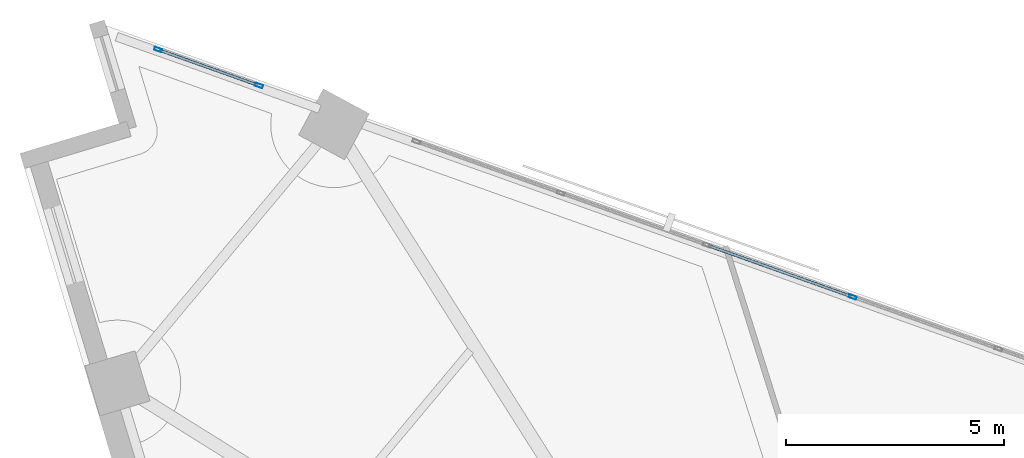
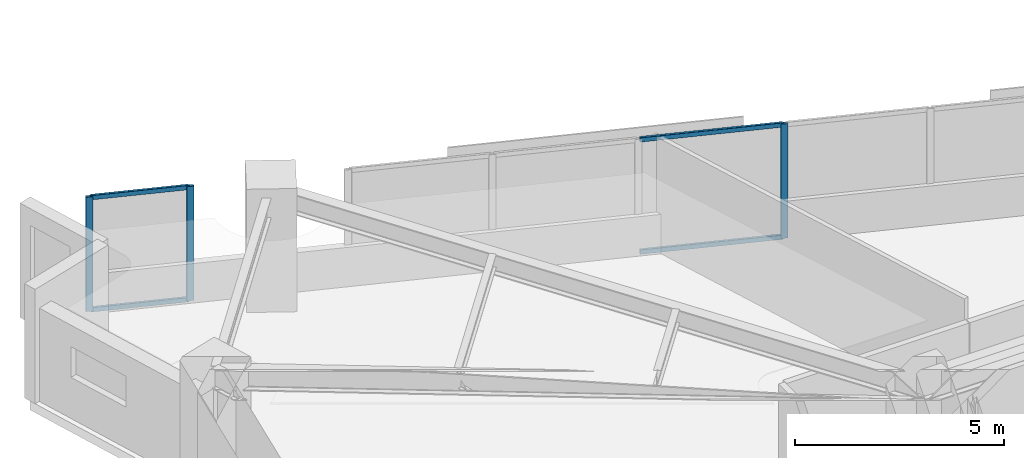
# One storey, part 7 of 16: 7 members, 2 elements without a shape of their own.
"""IFC4 building model written with IfcOpenShell, lengths in metres."""

from ifc_helpers import new_model, si_unit, direction, frame, origin, origin_2d, place, context, subcontext, project, spatial, hollow_rectangle, extrude, material, material_profile, profile_set, type_object, element, aggregate, save


model = new_model("IFC4")

# Units and contexts
model_context = context("Model", 3, precision=1e-05, world=origin(), true_north=direction((0.0, 1.0)))
body_context = subcontext(model_context, "Body", "Model", "MODEL_VIEW")
ifc_project = project(units=[si_unit("LENGTHUNIT", "METRE"), si_unit("AREAUNIT", "SQUARE_METRE"), si_unit("VOLUMEUNIT", "CUBIC_METRE"), si_unit("PLANEANGLEUNIT", "RADIAN"), si_unit("MASSUNIT", "GRAM", prefix="KILO")], contexts=[model_context])

# Site, building, storey
site_placement = place(None, origin())
site = spatial("IfcSite", under=ifc_project, at=site_placement, CompositionType="ELEMENT")
building_placement = place(site_placement, origin())
building = spatial("IfcBuilding", under=site, at=building_placement, Name="Narakoshi Arena Tower", CompositionType="ELEMENT")
storey_placement = place(building_placement, frame((0.0, 0.0, 146.699951171875)))
storey = spatial("IfcBuildingStorey", under=building, at=storey_placement, Name="L39", CompositionType="ELEMENT", Elevation=146.699951171875)

# Curtain wall, member
ifc_material = material(Name="Anodised bronze aluminium 6063-T6", Category="aluminium")
curtain_wall_type = type_object("IfcCurtainWallType", Name="CW-HYP-MID", PredefinedType="NOTDEFINED", material=ifc_material)
curtain_wall_1_placement = place(storey_placement, origin())
curtain_wall_1 = element("IfcCurtainWall", 1, at=curtain_wall_1_placement, inside=storey, type_object=curtain_wall_type, Name="L39 Folded Hypotenuse Curtain Wall 2-1", PredefinedType="NOTDEFINED")
ifc_material_profile_1 = material_profile(ifc_material, hollow_rectangle(XDim=0.074951171875, YDim=0.179931640625, WallThickness=0.00390625, OuterFilletRadius=0.0048828125, at=origin_2d()), Name="MUL180x75x4")
ifc_profile_set_1 = profile_set([ifc_material_profile_1], Name="Anodised bronze aluminium 6063-T6")
member_type_1 = type_object("IfcMemberType", Name="MEM-MUL-180", PredefinedType="MULLION", material=ifc_profile_set_1)
member_1_placement = place(storey_placement, frame((74.43701171875, 67.490966796875, 0.0), z_axis=(0.0, 0.0, 1.0), x_axis=(-0.335518297139, -0.94203368957, 0.0)))
member_1 = element("IfcMember", 2, at=member_1_placement, type_object=member_type_1, Name="CW-02 mullion 5", PredefinedType="MULLION", context=body_context, shape_type="SweptSolid", body=[
    extrude(hollow_rectangle(XDim=0.074951171875, YDim=0.179931640625, WallThickness=0.00390625, OuterFilletRadius=0.0048828125, at=origin_2d()), origin(), (0.0, 0.0, 1.0), 3.340087890625),
])

# Curtain wall, members
curtain_wall_2_placement = place(storey_placement, origin())
curtain_wall_2 = element("IfcCurtainWall", 3, at=curtain_wall_2_placement, inside=storey, type_object=curtain_wall_type, Name="L39 Folded Hypotenuse Curtain Wall 2-2", PredefinedType="NOTDEFINED")
member_2_placement = place(storey_placement, frame((60.826416015625, 72.33837890625, 0.0), z_axis=(0.0, 0.0, 1.0), x_axis=(-0.335541869571, -0.942025293591, 0.0)))
member_2 = element("IfcMember", 4, at=member_2_placement, type_object=member_type_1, Name="CW-02 mullion 1", PredefinedType="MULLION", context=body_context, shape_type="SweptSolid", body=[
    extrude(hollow_rectangle(XDim=0.074951171875, YDim=0.179931640625, WallThickness=0.00390625, OuterFilletRadius=0.0048828125, at=origin_2d()), origin(), (0.0, 0.0, 1.0), 3.340087890625),
])
member_3_placement = place(storey_placement, frame((58.515625, 73.16162109375, 0.0), z_axis=(0.0, 0.0, 1.0), x_axis=(-0.335541869571, -0.942025293591, 0.0)))
member_3 = element("IfcMember", 5, at=member_3_placement, type_object=member_type_1, Name="CW-02 mullion 2", PredefinedType="MULLION", context=body_context, shape_type="SweptSolid", body=[
    extrude(hollow_rectangle(XDim=0.074951171875, YDim=0.179931640625, WallThickness=0.00390625, OuterFilletRadius=0.0048828125, at=origin_2d()), origin(), (0.0, 0.0, 1.0), 3.340087890625),
])

# Member
ifc_material_profile_2 = material_profile(ifc_material, hollow_rectangle(XDim=0.06494140625, YDim=0.1298828125, WallThickness=0.00390625, OuterFilletRadius=0.0048828125, at=origin_2d()), Name="TRN130x65x4")
ifc_profile_set_2 = profile_set([ifc_material_profile_2], Name="Anodised bronze aluminium 6063-T6")
member_type_2 = type_object("IfcMemberType", Name="MEM-TRN-130", PredefinedType="USERDEFINED", material=ifc_profile_set_2)
member_4_placement = place(storey_placement, frame((74.401611328125, 67.50341796875, 0.032470703125), z_axis=(-0.942037165195, 0.335508538477, 0.0), x_axis=(-0.335508538477, -0.942037165195, 0.0)))
member_4 = element("IfcMember", 6, at=member_4_placement, type_object=member_type_2, Name="CW-02 transom 5.1", ObjectType="TRANSOM", PredefinedType="USERDEFINED", context=body_context, shape_type="SweptSolid", body=[
    extrude(hollow_rectangle(XDim=0.06494140625, YDim=0.1298828125, WallThickness=0.00390625, OuterFilletRadius=0.0048828125, at=origin_2d()), origin(), (0.0, 0.0, 1.0), 3.475341796875),
])

member_5_placement = place(storey_placement, frame((74.401611328125, 67.50341796875, 3.3076171875), z_axis=(-0.942037165195, 0.335508538477, 0.0), x_axis=(-0.335508538477, -0.942037165195, 0.0)))
member_5 = element("IfcMember", 7, at=member_5_placement, type_object=member_type_2, Name="CW-02 transom 5.2", ObjectType="TRANSOM", PredefinedType="USERDEFINED", context=body_context, shape_type="SweptSolid", body=[
    extrude(hollow_rectangle(XDim=0.06494140625, YDim=0.1298828125, WallThickness=0.00390625, OuterFilletRadius=0.0048828125, at=origin_2d()), origin(), (0.0, 0.0, 1.0), 3.475341796875),
])

aggregate(curtain_wall_1, [member_1, member_4, member_5])

member_6_placement = place(storey_placement, frame((60.791015625, 72.35107421875, 0.032470703125), z_axis=(-0.942027291531, 0.335536260351, 0.0), x_axis=(-0.335536260351, -0.942027291531, 0.0)))
member_6 = element("IfcMember", 8, at=member_6_placement, type_object=member_type_2, Name="CW-02 transom 1.1", ObjectType="TRANSOM", PredefinedType="USERDEFINED", context=body_context, shape_type="SweptSolid", body=[
    extrude(hollow_rectangle(XDim=0.06494140625, YDim=0.1298828125, WallThickness=0.00390625, OuterFilletRadius=0.0048828125, at=origin_2d()), origin(), (0.0, 0.0, 1.0), 2.3779296875),
])

member_7_placement = place(storey_placement, frame((60.791015625, 72.35107421875, 3.3076171875), z_axis=(-0.942027291531, 0.335536260351, 0.0), x_axis=(-0.335536260351, -0.942027291531, 0.0)))
member_7 = element("IfcMember", 9, at=member_7_placement, type_object=member_type_2, Name="CW-02 transom 1.2", ObjectType="TRANSOM", PredefinedType="USERDEFINED", context=body_context, shape_type="SweptSolid", body=[
    extrude(hollow_rectangle(XDim=0.06494140625, YDim=0.1298828125, WallThickness=0.00390625, OuterFilletRadius=0.0048828125, at=origin_2d()), origin(), (0.0, 0.0, 1.0), 2.3779296875),
])

aggregate(curtain_wall_2, [member_2, member_3, member_6, member_7])

save(model, "model.ifc")
